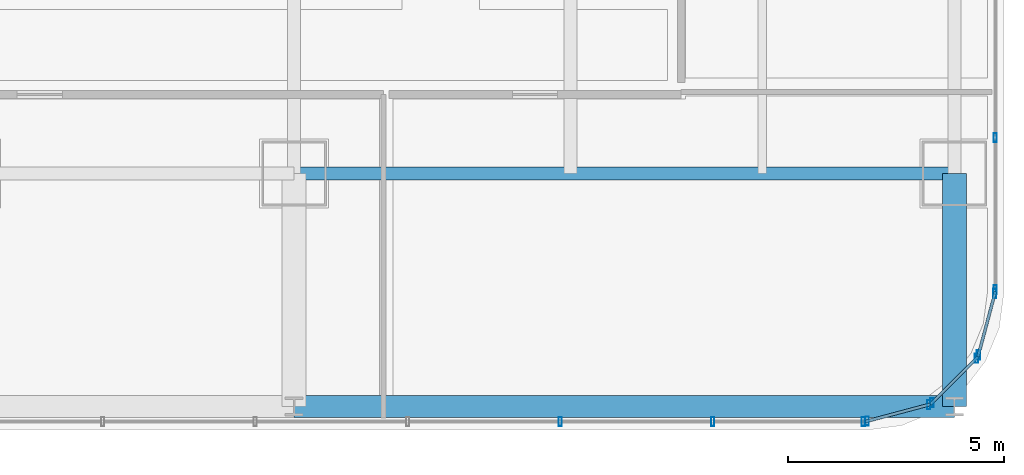
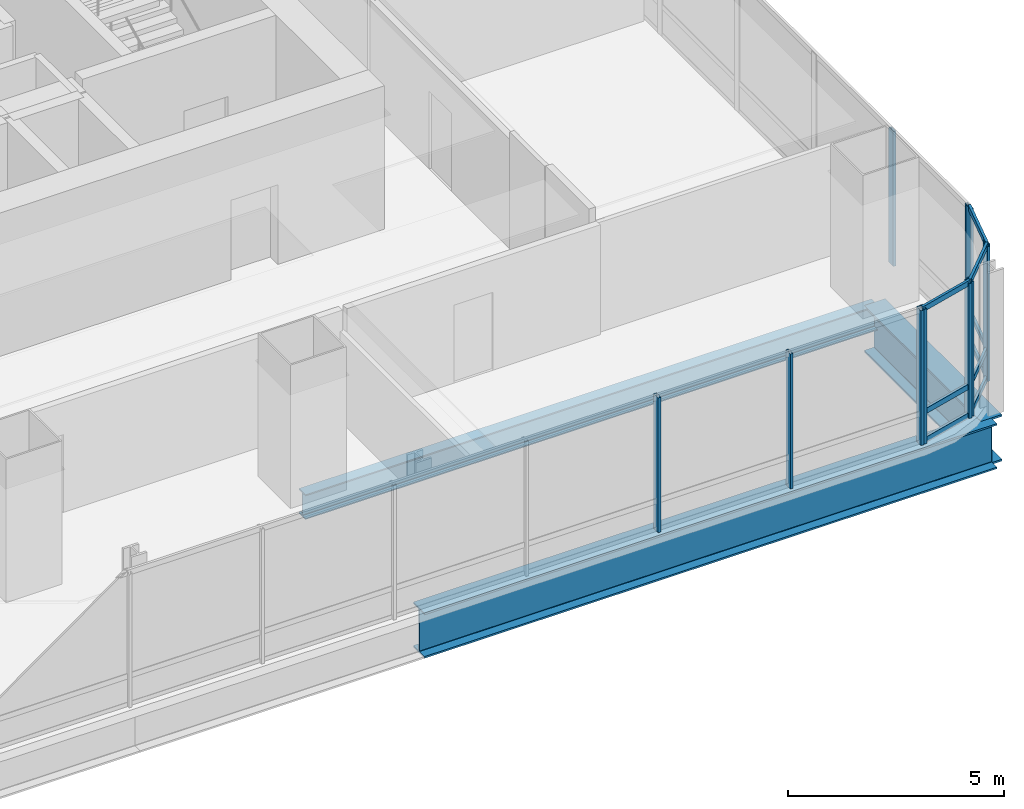
# One storey, part 13 of 35: 20 members, 3 beams, 5 elements without a shape of their own.
"""IFC4 building model written with IfcOpenShell, lengths in metres."""

from ifc_helpers import new_model, si_unit, direction, frame, origin, origin_2d, place, context, subcontext, project, spatial, hollow_rectangle, i_section, extrude, material, material_profile, profile_set, type_object, element, aggregate, save


model = new_model("IFC4")

# Units and contexts
model_context = context("Model", 3, precision=1e-05, world=origin(), true_north=direction((0.0, 1.0)))
body_context = subcontext(model_context, "Body", "Model", "MODEL_VIEW")
ifc_project = project(units=[si_unit("LENGTHUNIT", "METRE"), si_unit("AREAUNIT", "SQUARE_METRE"), si_unit("VOLUMEUNIT", "CUBIC_METRE"), si_unit("PLANEANGLEUNIT", "RADIAN"), si_unit("MASSUNIT", "GRAM", prefix="KILO")], contexts=[model_context])

# Site, building, storey
site_placement = place(None, origin())
site = spatial("IfcSite", under=ifc_project, at=site_placement, CompositionType="ELEMENT")
building_placement = place(site_placement, origin())
building = spatial("IfcBuilding", under=site, at=building_placement, Name="Punatoya Terracotta Tower", CompositionType="ELEMENT")
storey_placement = place(building_placement, frame((0.0, 0.0, 52.5)))
storey = spatial("IfcBuildingStorey", under=building, at=storey_placement, Name="L11", CompositionType="ELEMENT", Elevation=52.5)

# Beams
ifc_material_1 = material(Name="Steel S355", Category="steel")
ifc_material_profile_1 = material_profile(ifc_material_1, i_section(OverallWidth=0.300048828125, OverallDepth=0.699951171875, WebThickness=0.01708984375, FlangeThickness=0.031982421875, FilletRadius=0.01806640625, at=origin_2d()))
ifc_profile_set_1 = profile_set([ifc_material_profile_1], Name="Steel S355")
beam_type_1 = type_object("IfcBeamType", Name="BM-PRI-700", PredefinedType="BEAM", material=ifc_profile_set_1)
beam_1_placement = place(storey_placement, frame((3.800048828125, -17.5, -0.590087890625), z_axis=(1.0, 0.0, 0.0), x_axis=(0.0, 1.0, 0.0)))
element("IfcBeam", 1, at=beam_1_placement, inside=storey, type_object=beam_type_1, Name="BM-L11-RG-S3", PredefinedType="BEAM", context=body_context, shape_type="SweptSolid", body=[
    extrude(i_section(OverallWidth=0.300048828125, OverallDepth=0.699951171875, WebThickness=0.01708984375, FlangeThickness=0.031982421875, FilletRadius=0.01806640625, at=origin_2d()), origin(), (0.0, 0.0, 1.0), 15.300048828125),
])
ifc_material_2 = material(Name="Steel S460", Category="steel")
ifc_material_profile_2 = material_profile(ifc_material_2, i_section(OverallWidth=0.56005859375, OverallDepth=1.320068359375, WebThickness=0.035888671875, FlangeThickness=0.054931640625, FilletRadius=0.01806640625, at=origin_2d()))
ifc_profile_set_2 = profile_set([ifc_material_profile_2], Name="Steel S460")
beam_type_2 = type_object("IfcBeamType", Name="BM-TG-BLK", PredefinedType="BEAM", material=ifc_profile_set_2)
beam_2_placement = place(storey_placement, frame((19.10009765625, -22.89990234375, -0.89990234375), z_axis=(0.0, 1.0, 0.0), x_axis=(-1.0, 0.0, 0.0)))
element("IfcBeam", 2, at=beam_2_placement, inside=storey, type_object=beam_type_2, Name="BM-L11-CANT-S4", PredefinedType="BEAM", context=body_context, shape_type="SweptSolid", body=[
    extrude(i_section(OverallWidth=0.56005859375, OverallDepth=1.320068359375, WebThickness=0.035888671875, FlangeThickness=0.054931640625, FilletRadius=0.01806640625, at=origin_2d()), origin(), (0.0, 0.0, 1.0), 5.39990234375),
])
ifc_material_profile_3 = material_profile(ifc_material_2, i_section(OverallWidth=0.52001953125, OverallDepth=1.280029296875, WebThickness=0.031982421875, FlangeThickness=0.050048828125, FilletRadius=0.01806640625, at=origin_2d()))
ifc_profile_set_3 = profile_set([ifc_material_profile_3], Name="Steel S460")
beam_type_3 = type_object("IfcBeamType", Name="BM-TG-NCK", PredefinedType="BEAM", material=ifc_profile_set_3)
beam_3_placement = place(storey_placement, frame((3.800048828125, -22.89990234375, -0.8798828125), z_axis=(1.0, 0.0, 0.0), x_axis=(0.0, 1.0, 0.0)))
element("IfcBeam", 3, at=beam_3_placement, inside=storey, type_object=beam_type_3, Name="BM-L11-PER-S3", PredefinedType="BEAM", context=body_context, shape_type="SweptSolid", body=[
    extrude(i_section(OverallWidth=0.52001953125, OverallDepth=1.280029296875, WebThickness=0.031982421875, FlangeThickness=0.050048828125, FilletRadius=0.01806640625, at=origin_2d()), origin(), (0.0, 0.0, 1.0), 15.300048828125),
])

# Curtain wall, members
ifc_material_3 = material(Name="Aluminium 6063-T6 + Double Low-E Glass", Category="aluminium")
curtain_wall_type = type_object("IfcCurtainWallType", Name="CW-M1", PredefinedType="NOTDEFINED", material=ifc_material_3)
curtain_wall_1_placement = place(storey_placement, origin())
curtain_wall_1 = element("IfcCurtainWall", 4, at=curtain_wall_1_placement, inside=storey, type_object=curtain_wall_type, Name="L11 Curtain Wall CW-L11-S01-1", PredefinedType="NOTDEFINED")
ifc_material_4 = material(Name="Aluminium 6063-T6", Category="aluminium")
ifc_material_profile_4 = material_profile(ifc_material_4, hollow_rectangle(XDim=0.074951171875, YDim=0.2099609375, WallThickness=0.00439453125, at=origin_2d()))
ifc_profile_set_4 = profile_set([ifc_material_profile_4], Name="Aluminium 6063-T6")
member_type_1 = type_object("IfcMemberType", Name="CW-MUL-M1", PredefinedType="MULLION", material=ifc_profile_set_4)
member_1_placement = place(storey_placement, frame((9.968994140625, -23.25, 0.0), z_axis=(0.0, 0.0, 1.0), x_axis=(1.0, 0.0, 0.0)))
member_1 = element("IfcMember", 5, at=member_1_placement, type_object=member_type_1, Name="CW-L11-S01-1 Mullion 09", PredefinedType="MULLION", context=body_context, shape_type="SweptSolid", body=[
    extrude(hollow_rectangle(XDim=0.074951171875, YDim=0.2099609375, WallThickness=0.00439453125, at=origin_2d()), origin(), (0.0, 0.0, 1.0), 3.81005859375),
])
member_2_placement = place(storey_placement, frame((13.5029296875, -23.25, 0.0), z_axis=(0.0, 0.0, 1.0), x_axis=(1.0, 0.0, 0.0)))
member_2 = element("IfcMember", 6, at=member_2_placement, type_object=member_type_1, Name="CW-L11-S01-1 Mullion 10", PredefinedType="MULLION", context=body_context, shape_type="SweptSolid", body=[
    extrude(hollow_rectangle(XDim=0.074951171875, YDim=0.2099609375, WallThickness=0.00439453125, at=origin_2d()), origin(), (0.0, 0.0, 1.0), 3.81005859375),
])
member_3_placement = place(storey_placement, frame((16.991943359375, -23.25, 0.0), z_axis=(0.0, 0.0, 1.0), x_axis=(1.0, 0.0, 0.0)))
member_3 = element("IfcMember", 7, at=member_3_placement, type_object=member_type_1, Name="CW-L11-S01-1 Mullion 11", PredefinedType="MULLION", context=body_context, shape_type="SweptSolid", body=[
    extrude(hollow_rectangle(XDim=0.074951171875, YDim=0.2099609375, WallThickness=0.00439453125, at=origin_2d()), origin(), (0.0, 0.0, 1.0), 3.81005859375),
])
aggregate(curtain_wall_1, [member_1, member_2, member_3])

curtain_wall_2_placement = place(storey_placement, origin())
curtain_wall_2 = element("IfcCurtainWall", 8, at=curtain_wall_2_placement, inside=storey, type_object=curtain_wall_type, Name="L11 Curtain Wall CW-L11-CRN02", PredefinedType="NOTDEFINED")
member_4_placement = place(storey_placement, frame((17.080322265625, -23.23828125, 0.0), z_axis=(0.0, 0.0, 1.0), x_axis=(1.0, 0.0, 0.0)))
member_4 = element("IfcMember", 9, at=member_4_placement, type_object=member_type_1, Name="CW-L11-CRN02 Mullion 00", PredefinedType="MULLION", context=body_context, shape_type="SweptSolid", body=[
    extrude(hollow_rectangle(XDim=0.074951171875, YDim=0.2099609375, WallThickness=0.00439453125, at=origin_2d()), origin(), (0.0, 0.0, 1.0), 3.81005859375),
])
member_5_placement = place(storey_placement, frame((18.505615234375, -22.858154296875, 0.0), z_axis=(0.0, 0.0, 1.0), x_axis=(1.0, 0.0, 0.0)))
member_5 = element("IfcMember", 10, at=member_5_placement, type_object=member_type_1, Name="CW-L11-CRN02 Mullion 01", PredefinedType="MULLION", context=body_context, shape_type="SweptSolid", body=[
    extrude(hollow_rectangle(XDim=0.074951171875, YDim=0.2099609375, WallThickness=0.00439453125, at=origin_2d()), origin(), (0.0, 0.0, 1.0), 3.81005859375),
])

curtain_wall_3_placement = place(storey_placement, origin())
curtain_wall_3 = element("IfcCurtainWall", 11, at=curtain_wall_3_placement, inside=storey, type_object=curtain_wall_type, Name="L11 Curtain Wall CW-L11-CRN03", PredefinedType="NOTDEFINED")
member_6_placement = place(storey_placement, frame((18.580810546875, -22.814697265625, 0.0), z_axis=(0.0, 0.0, 1.0), x_axis=(1.0, 0.0, 0.0)))
member_6 = element("IfcMember", 12, at=member_6_placement, type_object=member_type_1, Name="CW-L11-CRN03 Mullion 00", PredefinedType="MULLION", context=body_context, shape_type="SweptSolid", body=[
    extrude(hollow_rectangle(XDim=0.074951171875, YDim=0.2099609375, WallThickness=0.00439453125, at=origin_2d()), origin(), (0.0, 0.0, 1.0), 3.81005859375),
])
member_7_placement = place(storey_placement, frame((19.61474609375, -21.781005859375, 0.0), z_axis=(0.0, 0.0, 1.0), x_axis=(1.0, 0.0, 0.0)))
member_7 = element("IfcMember", 13, at=member_7_placement, type_object=member_type_1, Name="CW-L11-CRN03 Mullion 01", PredefinedType="MULLION", context=body_context, shape_type="SweptSolid", body=[
    extrude(hollow_rectangle(XDim=0.074951171875, YDim=0.2099609375, WallThickness=0.00439453125, at=origin_2d()), origin(), (0.0, 0.0, 1.0), 3.81005859375),
])

curtain_wall_4_placement = place(storey_placement, origin())
curtain_wall_4 = element("IfcCurtainWall", 14, at=curtain_wall_4_placement, inside=storey, type_object=curtain_wall_type, Name="L11 Curtain Wall CW-L11-CRN04", PredefinedType="NOTDEFINED")
member_8_placement = place(storey_placement, frame((19.658203125, -21.70556640625, 0.0), z_axis=(0.0, 0.0, 1.0), x_axis=(1.0, 0.0, 0.0)))
member_8 = element("IfcMember", 15, at=member_8_placement, type_object=member_type_1, Name="CW-L11-CRN04 Mullion 00", PredefinedType="MULLION", context=body_context, shape_type="SweptSolid", body=[
    extrude(hollow_rectangle(XDim=0.074951171875, YDim=0.2099609375, WallThickness=0.00439453125, at=origin_2d()), origin(), (0.0, 0.0, 1.0), 3.81005859375),
])
member_9_placement = place(storey_placement, frame((20.038330078125, -20.280517578125, 0.0), z_axis=(0.0, 0.0, 1.0), x_axis=(1.0, 0.0, 0.0)))
member_9 = element("IfcMember", 16, at=member_9_placement, type_object=member_type_1, Name="CW-L11-CRN04 Mullion 01", PredefinedType="MULLION", context=body_context, shape_type="SweptSolid", body=[
    extrude(hollow_rectangle(XDim=0.074951171875, YDim=0.2099609375, WallThickness=0.00439453125, at=origin_2d()), origin(), (0.0, 0.0, 1.0), 3.81005859375),
])

curtain_wall_5_placement = place(storey_placement, origin())
curtain_wall_5 = element("IfcCurtainWall", 17, at=curtain_wall_5_placement, inside=storey, type_object=curtain_wall_type, Name="L11 Curtain Wall CW-L11-E05-1", PredefinedType="NOTDEFINED")
member_10_placement = place(storey_placement, frame((20.050048828125, -20.19189453125, 0.0), z_axis=(0.0, 0.0, 1.0), x_axis=(1.0, 0.0, 0.0)))
member_10 = element("IfcMember", 18, at=member_10_placement, type_object=member_type_1, Name="CW-L11-E05-1 Mullion 00", PredefinedType="MULLION", context=body_context, shape_type="SweptSolid", body=[
    extrude(hollow_rectangle(XDim=0.074951171875, YDim=0.2099609375, WallThickness=0.00439453125, at=origin_2d()), origin(), (0.0, 0.0, 1.0), 3.81005859375),
])
member_11_placement = place(storey_placement, frame((20.050048828125, -16.66943359375, 0.0), z_axis=(0.0, 0.0, 1.0), x_axis=(1.0, 0.0, 0.0)))
member_11 = element("IfcMember", 19, at=member_11_placement, type_object=member_type_1, Name="CW-L11-E05-1 Mullion 01", PredefinedType="MULLION", context=body_context, shape_type="SweptSolid", body=[
    extrude(hollow_rectangle(XDim=0.074951171875, YDim=0.2099609375, WallThickness=0.00439453125, at=origin_2d()), origin(), (0.0, 0.0, 1.0), 3.81005859375),
])
aggregate(curtain_wall_5, [member_10, member_11])

# Member
ifc_material_profile_5 = material_profile(ifc_material_4, hollow_rectangle(XDim=0.068115234375, YDim=0.14990234375, WallThickness=0.00390625, at=origin_2d()))
ifc_profile_set_5 = profile_set([ifc_material_profile_5], Name="Aluminium 6063-T6")
member_type_2 = type_object("IfcMemberType", Name="CW-TRN-TYP", PredefinedType="USERDEFINED", material=ifc_profile_set_5)
member_12_placement = place(storey_placement, frame((17.036865234375, -23.25, 0.0400390625), z_axis=(0.966224582397, 0.257701486942, 0.0), x_axis=(-0.257701486942, 0.966224582397, 0.0)))
member_12 = element("IfcMember", 20, at=member_12_placement, type_object=member_type_2, Name="CW-L11-CRN02 Transom 1", ObjectType="TRANSOM", PredefinedType="USERDEFINED", context=body_context, shape_type="SweptSolid", body=[
    extrude(hollow_rectangle(XDim=0.068115234375, YDim=0.14990234375, WallThickness=0.00390625, at=origin_2d()), origin(), (0.0, 0.0, 1.0), 1.565185546875),
])

member_13_placement = place(storey_placement, frame((17.036865234375, -23.25, 0.85009765625), z_axis=(0.966224582397, 0.257701486942, 0.0), x_axis=(-0.257701486942, 0.966224582397, 0.0)))
member_13 = element("IfcMember", 21, at=member_13_placement, type_object=member_type_2, Name="CW-L11-CRN02 Transom 2", ObjectType="TRANSOM", PredefinedType="USERDEFINED", context=body_context, shape_type="SweptSolid", body=[
    extrude(hollow_rectangle(XDim=0.068115234375, YDim=0.14990234375, WallThickness=0.00390625, at=origin_2d()), origin(), (0.0, 0.0, 1.0), 1.565185546875),
])

member_14_placement = place(storey_placement, frame((17.036865234375, -23.25, 3.77001953125), z_axis=(0.966224582397, 0.257701486942, 0.0), x_axis=(-0.257701486942, 0.966224582397, 0.0)))
member_14 = element("IfcMember", 22, at=member_14_placement, type_object=member_type_2, Name="CW-L11-CRN02 Transom 3", ObjectType="TRANSOM", PredefinedType="USERDEFINED", context=body_context, shape_type="SweptSolid", body=[
    extrude(hollow_rectangle(XDim=0.068115234375, YDim=0.14990234375, WallThickness=0.00390625, at=origin_2d()), origin(), (0.0, 0.0, 1.0), 1.565185546875),
])

aggregate(curtain_wall_2, [member_4, member_5, member_12, member_13, member_14])

member_15_placement = place(storey_placement, frame((18.549072265625, -22.8466796875, 0.0400390625), z_axis=(0.707028130747, 0.707185422879, 0.0), x_axis=(-0.707185422879, 0.707028130747, 0.0)))
member_15 = element("IfcMember", 23, at=member_15_placement, type_object=member_type_2, Name="CW-L11-CRN03 Transom 1", ObjectType="TRANSOM", PredefinedType="USERDEFINED", context=body_context, shape_type="SweptSolid", body=[
    extrude(hollow_rectangle(XDim=0.068115234375, YDim=0.14990234375, WallThickness=0.00390625, at=origin_2d()), origin(), (0.0, 0.0, 1.0), 1.55224609375),
])

member_16_placement = place(storey_placement, frame((18.549072265625, -22.8466796875, 0.85009765625), z_axis=(0.707028130747, 0.707185422879, 0.0), x_axis=(-0.707185422879, 0.707028130747, 0.0)))
member_16 = element("IfcMember", 24, at=member_16_placement, type_object=member_type_2, Name="CW-L11-CRN03 Transom 2", ObjectType="TRANSOM", PredefinedType="USERDEFINED", context=body_context, shape_type="SweptSolid", body=[
    extrude(hollow_rectangle(XDim=0.068115234375, YDim=0.14990234375, WallThickness=0.00390625, at=origin_2d()), origin(), (0.0, 0.0, 1.0), 1.55224609375),
])

member_17_placement = place(storey_placement, frame((18.549072265625, -22.8466796875, 3.77001953125), z_axis=(0.707028130747, 0.707185422879, 0.0), x_axis=(-0.707185422879, 0.707028130747, 0.0)))
member_17 = element("IfcMember", 25, at=member_17_placement, type_object=member_type_2, Name="CW-L11-CRN03 Transom 3", ObjectType="TRANSOM", PredefinedType="USERDEFINED", context=body_context, shape_type="SweptSolid", body=[
    extrude(hollow_rectangle(XDim=0.068115234375, YDim=0.14990234375, WallThickness=0.00390625, at=origin_2d()), origin(), (0.0, 0.0, 1.0), 1.55224609375),
])

aggregate(curtain_wall_3, [member_6, member_7, member_15, member_16, member_17])

member_18_placement = place(storey_placement, frame((19.646484375, -21.7490234375, 0.0400390625), z_axis=(0.257847112249, 0.966185730957, 0.0), x_axis=(-0.966185730957, 0.257847112249, 0.0)))
member_18 = element("IfcMember", 26, at=member_18_placement, type_object=member_type_2, Name="CW-L11-CRN04 Transom 1", ObjectType="TRANSOM", PredefinedType="USERDEFINED", context=body_context, shape_type="SweptSolid", body=[
    extrude(hollow_rectangle(XDim=0.068115234375, YDim=0.14990234375, WallThickness=0.00390625, at=origin_2d()), origin(), (0.0, 0.0, 1.0), 1.565185546875),
])

member_19_placement = place(storey_placement, frame((19.646484375, -21.7490234375, 0.85009765625), z_axis=(0.257847112249, 0.966185730957, 0.0), x_axis=(-0.966185730957, 0.257847112249, 0.0)))
member_19 = element("IfcMember", 27, at=member_19_placement, type_object=member_type_2, Name="CW-L11-CRN04 Transom 2", ObjectType="TRANSOM", PredefinedType="USERDEFINED", context=body_context, shape_type="SweptSolid", body=[
    extrude(hollow_rectangle(XDim=0.068115234375, YDim=0.14990234375, WallThickness=0.00390625, at=origin_2d()), origin(), (0.0, 0.0, 1.0), 1.565185546875),
])

member_20_placement = place(storey_placement, frame((19.646484375, -21.7490234375, 3.77001953125), z_axis=(0.257847112249, 0.966185730957, 0.0), x_axis=(-0.966185730957, 0.257847112249, 0.0)))
member_20 = element("IfcMember", 28, at=member_20_placement, type_object=member_type_2, Name="CW-L11-CRN04 Transom 3", ObjectType="TRANSOM", PredefinedType="USERDEFINED", context=body_context, shape_type="SweptSolid", body=[
    extrude(hollow_rectangle(XDim=0.068115234375, YDim=0.14990234375, WallThickness=0.00390625, at=origin_2d()), origin(), (0.0, 0.0, 1.0), 1.565185546875),
])

aggregate(curtain_wall_4, [member_8, member_9, member_18, member_19, member_20])

save(model, "model.ifc")
